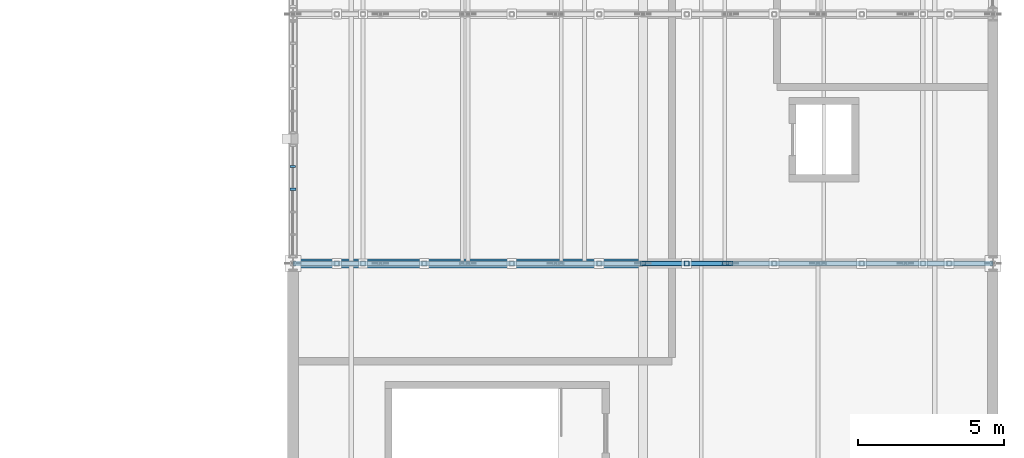
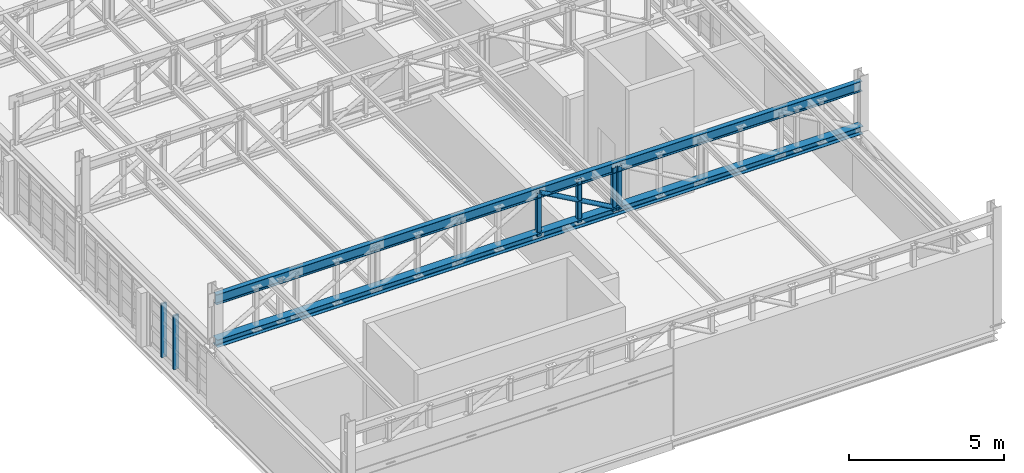
# One storey, part 33 of 128: 9 members, 1 element without a shape of its own.
"""IFC4 building model written with IfcOpenShell, lengths in metres."""

from ifc_helpers import new_model, si_unit, direction, frame, origin, origin_2d, place, context, subcontext, project, spatial, rectangle, hollow_rectangle, hollow_circle, i_section, extrude, material, material_profile, profile_set, type_object, element, aggregate, save


model = new_model("IFC4")

# Units and contexts
model_context = context("Model", 3, precision=1e-05, world=origin(), true_north=direction((0.0, 1.0)))
body_context = subcontext(model_context, "Body", "Model", "MODEL_VIEW")
ifc_project = project(units=[si_unit("LENGTHUNIT", "METRE"), si_unit("AREAUNIT", "SQUARE_METRE"), si_unit("VOLUMEUNIT", "CUBIC_METRE"), si_unit("PLANEANGLEUNIT", "RADIAN"), si_unit("MASSUNIT", "GRAM", prefix="KILO")], contexts=[model_context])

# Site, building, storey
site_placement = place(None, origin())
site = spatial("IfcSite", under=ifc_project, at=site_placement, CompositionType="ELEMENT")
building_placement = place(site_placement, origin())
building = spatial("IfcBuilding", under=site, at=building_placement, Name="Serraforn Aerial Cableway Station", CompositionType="ELEMENT")
storey_placement = place(building_placement, frame((0.0, 0.0, 9.0)))
storey = spatial("IfcBuildingStorey", under=building, at=storey_placement, Name="L02", CompositionType="ELEMENT", Elevation=9.0)

# Curtain wall, members
ifc_material_1 = material(Name="Anodised bronze unitised curtain wall")
curtain_wall_type = type_object("IfcCurtainWallType", Name="CW-SYS-24", PredefinedType="USERDEFINED", material=ifc_material_1)
curtain_wall_placement = place(storey_placement, origin())
curtain_wall = element("IfcCurtainWall", 1, at=curtain_wall_placement, inside=storey, type_object=curtain_wall_type, Name="Unitised Curtain Wall CW-EG-L02-W2B", ObjectType="UNITISED CURTAIN WALL", PredefinedType="USERDEFINED")
ifc_material_2 = material(Name="Anodised bronze extruded aluminium", Category="aluminium")
ifc_material_profile_1 = material_profile(ifc_material_2, rectangle(XDim=0.070068359375, YDim=0.18994140625, at=origin_2d()), Name="CW MULLION 70x190")
ifc_profile_set_1 = profile_set([ifc_material_profile_1], Name="Anodised bronze extruded aluminium")
member_type_1 = type_object("IfcMemberType", Name="CW-MUL-4", PredefinedType="MULLION", material=ifc_profile_set_1)
member_1_placement = place(storey_placement, frame((144.0, 57.470703125, 0.0), z_axis=(0.0, 0.0, 1.0), x_axis=(0.0, -1.0, 0.0)))
member_1 = element("IfcMember", 2, at=member_1_placement, type_object=member_type_1, Name="Curtain Wall Mullion CW-EG-L02-W2B-M2", PredefinedType="MULLION", context=body_context, shape_type="SweptSolid", body=[
    extrude(rectangle(XDim=0.070068359375, YDim=0.18994140625, at=origin_2d()), origin(), (0.0, 0.0, 1.0), 2.1201171875),
])
ifc_material_profile_2 = material_profile(ifc_material_2, rectangle(XDim=0.074951171875, YDim=0.199951171875, at=origin_2d()), Name="CW MULLION 75x200")
ifc_profile_set_2 = profile_set([ifc_material_profile_2], Name="Anodised bronze extruded aluminium")
member_type_2 = type_object("IfcMemberType", Name="CW-MUL-5", PredefinedType="MULLION", material=ifc_profile_set_2)
member_2_placement = place(storey_placement, frame((144.0, 56.6962890625, 0.0), z_axis=(0.0, 0.0, 1.0), x_axis=(0.0, -1.0, 0.0)))
member_2 = element("IfcMember", 3, at=member_2_placement, type_object=member_type_2, Name="Curtain Wall Mullion CW-EG-L02-W2B-M3", PredefinedType="MULLION", context=body_context, shape_type="SweptSolid", body=[
    extrude(rectangle(XDim=0.074951171875, YDim=0.199951171875, at=origin_2d()), origin(), (0.0, 0.0, 1.0), 2.1201171875),
])
aggregate(curtain_wall, [member_1, member_2])

# Members
ifc_material_3 = material(Name="Steel S355J2", Category="steel")
ifc_material_profile_3 = material_profile(ifc_material_3, i_section(OverallWidth=0.300048828125, OverallDepth=0.300048828125, WebThickness=0.008544921875, FlangeThickness=0.013916015625, FilletRadius=0.027099609375, at=origin_2d()), Name="HEA 300")
ifc_profile_set_3 = profile_set([ifc_material_profile_3], Name="Steel S355J2")
member_type_3 = type_object("IfcMemberType", Name="MEM-BC-HEA300", PredefinedType="CHORD", material=ifc_profile_set_3)
member_3_placement = place(storey_placement, frame((144.0, 54.14990234375, 2.60009765625), z_axis=(1.0, 0.0, 0.0), x_axis=(0.0, 1.0, 0.0)))
element("IfcMember", 4, at=member_3_placement, inside=storey, type_object=member_type_3, Name="Garage Truss GT-02 Bottom Chord", PredefinedType="CHORD", context=body_context, shape_type="SweptSolid", body=[
    extrude(i_section(OverallWidth=0.300048828125, OverallDepth=0.300048828125, WebThickness=0.008544921875, FlangeThickness=0.013916015625, FilletRadius=0.027099609375, at=origin_2d()), origin(), (0.0, 0.0, 1.0), 24.0),
])
ifc_material_profile_4 = material_profile(ifc_material_3, hollow_circle(Radius=0.084228515625, WallThickness=0.008056640625, at=origin_2d()), Name="CHS 168.3x8.0")
ifc_profile_set_4 = profile_set([ifc_material_profile_4], Name="Steel S355J2")
member_type_4 = type_object("IfcMemberType", Name="MEM-DG-CHS168", PredefinedType="BRACE", material=ifc_profile_set_4)
member_4_placement = place(storey_placement, frame((156.0, 54.14990234375, 4.2900390625), z_axis=(0.871272396707, 0.0, -0.490799766439), x_axis=(0.0, 1.0, 0.0)))
element("IfcMember", 5, at=member_4_placement, inside=storey, type_object=member_type_4, Name="Garage Truss GT-02 Diagonal 5", PredefinedType="BRACE", context=body_context, shape_type="SweptSolid", body=[
    extrude(hollow_circle(Radius=0.084228515625, WallThickness=0.008056640625, at=origin_2d()), origin(), (0.0, 0.0, 1.0), 3.443359375),
])
ifc_material_profile_5 = material_profile(ifc_material_3, i_section(OverallWidth=0.179931640625, OverallDepth=0.39990234375, WebThickness=0.008544921875, FlangeThickness=0.013427734375, FilletRadius=0.02099609375, at=origin_2d()), Name="IPE 400")
ifc_profile_set_5 = profile_set([ifc_material_profile_5], Name="Steel S355J2")
member_type_5 = type_object("IfcMemberType", Name="MEM-TC-IPE400", PredefinedType="CHORD", material=ifc_profile_set_5)
member_5_placement = place(storey_placement, frame((144.0, 54.14990234375, 4.2900390625), z_axis=(1.0, 0.0, 0.0), x_axis=(0.0, 1.0, 0.0)))
element("IfcMember", 6, at=member_5_placement, inside=storey, type_object=member_type_5, Name="Garage Truss GT-02 Top Chord", PredefinedType="CHORD", context=body_context, shape_type="SweptSolid", body=[
    extrude(i_section(OverallWidth=0.179931640625, OverallDepth=0.39990234375, WebThickness=0.008544921875, FlangeThickness=0.013427734375, FilletRadius=0.02099609375, at=origin_2d()), origin(), (0.0, 0.0, 1.0), 24.0),
])
ifc_material_profile_6 = material_profile(ifc_material_3, hollow_rectangle(XDim=0.159912109375, YDim=0.159912109375, WallThickness=0.008056640625, InnerFilletRadius=0.008056640625, OuterFilletRadius=0.01611328125, at=origin_2d()), Name="SHS 160x160x8.0")
ifc_profile_set_6 = profile_set([ifc_material_profile_6], Name="Steel S355J2")
member_type_6 = type_object("IfcMemberType", Name="MEM-VP-SHS160", PredefinedType="STRUT", material=ifc_profile_set_6)
for number, where, z_axis, x_axis, name in (
    (7, (156.0, 54.14990234375, 2.590087890625), (0.0, 0.0, 1.0), (1.0, 0.0, 0.0), "Garage Truss GT-02 Post 5"),
    (8, (159.0, 54.14990234375, 2.590087890625), (0.0, 0.0, 1.0), (1.0, 0.0, 0.0), "Garage Truss GT-02 Post 6"),
    (9, (158.800048828125, 54.14990234375, 2.590087890625), (0.0, 0.0, 1.0), (1.0, 0.0, 0.0), "Overhead Rail Suspension Post 004"),
    (10, (157.5, 54.14990234375, 2.590087890625), (0.0, 0.0, 1.0), (1.0, 0.0, 0.0), "Garage Truss GT-02 Sub-Vertical 5"),
):
    element("IfcMember", number, at=place(storey_placement, frame(where, z_axis=z_axis, x_axis=x_axis)), inside=storey, type_object=member_type_6, Name=name, PredefinedType="STRUT", context=body_context, shape_type="SweptSolid", body=[
        extrude(hollow_rectangle(XDim=0.159912109375, YDim=0.159912109375, WallThickness=0.008056640625, InnerFilletRadius=0.008056640625, OuterFilletRadius=0.01611328125, at=origin_2d()), origin(), (0.0, 0.0, 1.0), 1.7099609375),
    ])

save(model, "model.ifc")
